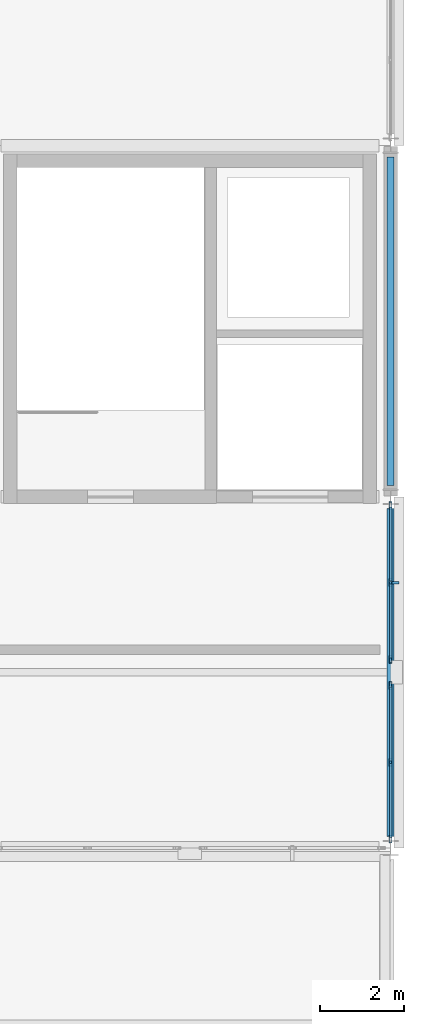
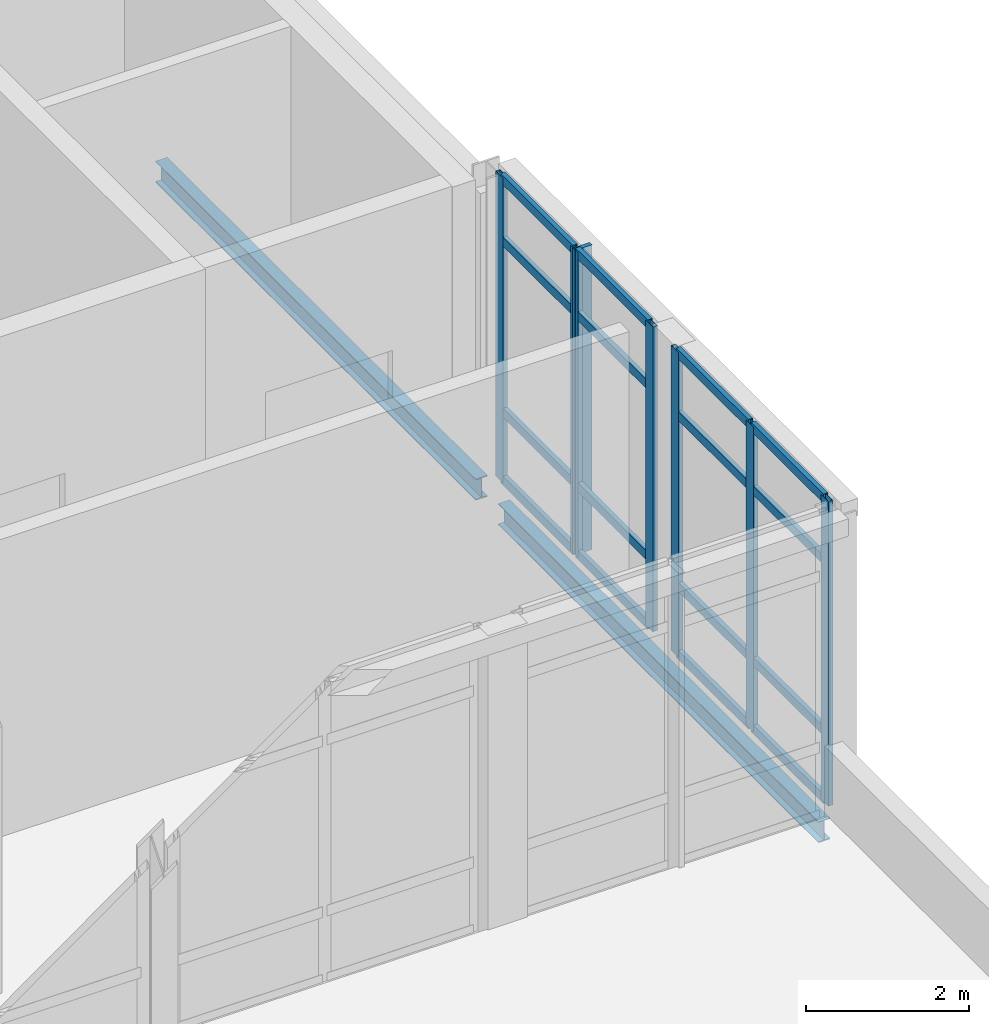
# One storey, part 24 of 52: 23 members, 2 beams, 2 elements without a shape of their own.
"""IFC4 building model written with IfcOpenShell, lengths in metres."""

from ifc_helpers import new_model, si_unit, direction, frame, origin, origin_2d, place, context, subcontext, project, spatial, rectangle, hollow_rectangle, i_section, extrude, material, layer, layer_set, material_profile, profile_set, type_object, element, aggregate, save


model = new_model("IFC4")

# Units and contexts
model_context = context("Model", 3, precision=1e-05, world=origin(), true_north=direction((0.0, 1.0)))
body_context = subcontext(model_context, "Body", "Model", "MODEL_VIEW")
ifc_project = project(units=[si_unit("LENGTHUNIT", "METRE"), si_unit("AREAUNIT", "SQUARE_METRE"), si_unit("VOLUMEUNIT", "CUBIC_METRE"), si_unit("PLANEANGLEUNIT", "RADIAN"), si_unit("MASSUNIT", "GRAM", prefix="KILO")], contexts=[model_context])

# Site, building, storey
site_placement = place(None, origin())
site = spatial("IfcSite", under=ifc_project, at=site_placement, CompositionType="ELEMENT")
building_placement = place(site_placement, origin())
building = spatial("IfcBuilding", under=site, at=building_placement, Name="Lornevale Opera House", CompositionType="ELEMENT")
storey_placement = place(building_placement, frame((0.0, 0.0, 15.0)))
storey = spatial("IfcBuildingStorey", under=building, at=storey_placement, Name="L04", CompositionType="ELEMENT", Elevation=15.0)

# Curtain wall, members
ifc_material_1 = material(Name="Anodized Oxide-Green Aluminium Framing", Category="aluminium")
ifc_layer = layer(ifc_material_1, 0.179931640625)
ifc_layer_set = layer_set([ifc_layer], Name="Anodized Oxide-Green Aluminium Framing")
curtain_wall_type = type_object("IfcCurtainWallType", Name="Promenade Gallery Curtain Wall M1800", PredefinedType="NOTDEFINED", material=ifc_layer_set)
curtain_wall_1_placement = place(storey_placement, origin())
curtain_wall_1 = element("IfcCurtainWall", 1, at=curtain_wall_1_placement, inside=storey, type_object=curtain_wall_type, Name="Promenade Gallery Curtain Wall M1800 CW-163", PredefinedType="NOTDEFINED")
ifc_material_profile_1 = material_profile(ifc_material_1, hollow_rectangle(XDim=0.06494140625, YDim=0.179931640625, WallThickness=0.0048828125, at=origin_2d()), Name="ALU65x180x5")
ifc_profile_set_1 = profile_set([ifc_material_profile_1], Name="Anodized Oxide-Green Aluminium Framing")
member_type_1 = type_object("IfcMemberType", Name="Curtain Wall Mullion 65x180", PredefinedType="MULLION", material=ifc_profile_set_1)
member_1_placement = place(storey_placement, frame((144.0, 33.387451171875, 0.0), z_axis=(0.0, 0.0, 1.0), x_axis=(1.0, 0.0, 0.0)))
member_1 = element("IfcMember", 2, at=member_1_placement, type_object=member_type_1, Name="Curtain Wall Mullion 65x180 CW3323", PredefinedType="MULLION", context=body_context, shape_type="SweptSolid", body=[
    extrude(hollow_rectangle(XDim=0.06494140625, YDim=0.179931640625, WallThickness=0.0048828125, at=origin_2d()), origin(), (0.0, 0.0, 1.0), 4.56005859375),
])
member_2_placement = place(storey_placement, frame((144.0, 31.550048828125, 0.0), z_axis=(0.0, 0.0, 1.0), x_axis=(1.0, 0.0, 0.0)))
member_2 = element("IfcMember", 3, at=member_2_placement, type_object=member_type_1, Name="Curtain Wall Mullion 65x180 CW3324", PredefinedType="MULLION", context=body_context, shape_type="SweptSolid", body=[
    extrude(hollow_rectangle(XDim=0.06494140625, YDim=0.179931640625, WallThickness=0.0048828125, at=origin_2d()), origin(), (0.0, 0.0, 1.0), 4.56005859375),
])
member_3_placement = place(storey_placement, frame((144.0, 29.71240234375, 0.0), z_axis=(0.0, 0.0, 1.0), x_axis=(1.0, 0.0, 0.0)))
member_3 = element("IfcMember", 4, at=member_3_placement, type_object=member_type_1, Name="Curtain Wall Mullion 65x180 CW3325", PredefinedType="MULLION", context=body_context, shape_type="SweptSolid", body=[
    extrude(hollow_rectangle(XDim=0.06494140625, YDim=0.179931640625, WallThickness=0.0048828125, at=origin_2d()), origin(), (0.0, 0.0, 1.0), 4.56005859375),
])

curtain_wall_2_placement = place(storey_placement, origin())
curtain_wall_2 = element("IfcCurtainWall", 5, at=curtain_wall_2_placement, inside=storey, type_object=curtain_wall_type, Name="Promenade Gallery Curtain Wall M1800 CW-164", PredefinedType="NOTDEFINED")
member_4_placement = place(storey_placement, frame((144.0, 29.08740234375, 0.0), z_axis=(0.0, 0.0, 1.0), x_axis=(1.0, 0.0, 0.0)))
member_4 = element("IfcMember", 6, at=member_4_placement, type_object=member_type_1, Name="Curtain Wall Mullion 65x180 CW3340", PredefinedType="MULLION", context=body_context, shape_type="SweptSolid", body=[
    extrude(hollow_rectangle(XDim=0.06494140625, YDim=0.179931640625, WallThickness=0.0048828125, at=origin_2d()), origin(), (0.0, 0.0, 1.0), 4.56005859375),
])
member_5_placement = place(storey_placement, frame((144.0, 27.25, 0.0), z_axis=(0.0, 0.0, 1.0), x_axis=(1.0, 0.0, 0.0)))
member_5 = element("IfcMember", 7, at=member_5_placement, type_object=member_type_1, Name="Curtain Wall Mullion 65x180 CW3341", PredefinedType="MULLION", context=body_context, shape_type="SweptSolid", body=[
    extrude(hollow_rectangle(XDim=0.06494140625, YDim=0.179931640625, WallThickness=0.0048828125, at=origin_2d()), origin(), (0.0, 0.0, 1.0), 4.56005859375),
])
member_6_placement = place(storey_placement, frame((144.0, 25.41259765625, 0.0), z_axis=(0.0, 0.0, 1.0), x_axis=(1.0, 0.0, 0.0)))
member_6 = element("IfcMember", 8, at=member_6_placement, type_object=member_type_1, Name="Curtain Wall Mullion 65x180 CW3342", PredefinedType="MULLION", context=body_context, shape_type="SweptSolid", body=[
    extrude(hollow_rectangle(XDim=0.06494140625, YDim=0.179931640625, WallThickness=0.0048828125, at=origin_2d()), origin(), (0.0, 0.0, 1.0), 4.56005859375),
])

# Member
ifc_material_profile_2 = material_profile(ifc_material_1, hollow_rectangle(XDim=0.06494140625, YDim=0.135009765625, WallThickness=0.00390625, at=origin_2d()), Name="ALU65x135x4")
ifc_profile_set_2 = profile_set([ifc_material_profile_2], Name="Anodized Oxide-Green Aluminium Framing")
member_type_2 = type_object("IfcMemberType", Name="Curtain Wall Transom 65x135", PredefinedType="USERDEFINED", material=ifc_profile_set_2)
member_7_placement = place(storey_placement, frame((144.0, 33.35498046875, 0.032470703125), z_axis=(0.0, -1.0, 0.0), x_axis=(1.0, 0.0, 0.0)))
member_7 = element("IfcMember", 9, at=member_7_placement, type_object=member_type_2, Name="Curtain Wall Transom 65x135 CW3326", ObjectType="TRANSOM", PredefinedType="USERDEFINED", context=body_context, shape_type="SweptSolid", body=[
    extrude(hollow_rectangle(XDim=0.06494140625, YDim=0.135009765625, WallThickness=0.00390625, at=origin_2d()), origin(), (0.0, 0.0, 1.0), 1.7724609375),
])

member_8_placement = place(storey_placement, frame((144.0, 33.35498046875, 1.050048828125), z_axis=(0.0, -1.0, 0.0), x_axis=(1.0, 0.0, 0.0)))
member_8 = element("IfcMember", 10, at=member_8_placement, type_object=member_type_2, Name="Curtain Wall Transom 65x135 CW3327", ObjectType="TRANSOM", PredefinedType="USERDEFINED", context=body_context, shape_type="SweptSolid", body=[
    extrude(hollow_rectangle(XDim=0.06494140625, YDim=0.135009765625, WallThickness=0.00390625, at=origin_2d()), origin(), (0.0, 0.0, 1.0), 1.7724609375),
])

member_9_placement = place(storey_placement, frame((144.0, 33.35498046875, 3.610107421875), z_axis=(0.0, -1.0, 0.0), x_axis=(1.0, 0.0, 0.0)))
member_9 = element("IfcMember", 11, at=member_9_placement, type_object=member_type_2, Name="Curtain Wall Transom 65x135 CW3328", ObjectType="TRANSOM", PredefinedType="USERDEFINED", context=body_context, shape_type="SweptSolid", body=[
    extrude(hollow_rectangle(XDim=0.06494140625, YDim=0.135009765625, WallThickness=0.00390625, at=origin_2d()), origin(), (0.0, 0.0, 1.0), 1.7724609375),
])

member_10_placement = place(storey_placement, frame((144.0, 33.35498046875, 4.527587890625), z_axis=(0.0, -1.0, 0.0), x_axis=(1.0, 0.0, 0.0)))
member_10 = element("IfcMember", 12, at=member_10_placement, type_object=member_type_2, Name="Curtain Wall Transom 65x135 CW3329", ObjectType="TRANSOM", PredefinedType="USERDEFINED", context=body_context, shape_type="SweptSolid", body=[
    extrude(hollow_rectangle(XDim=0.06494140625, YDim=0.135009765625, WallThickness=0.00390625, at=origin_2d()), origin(), (0.0, 0.0, 1.0), 1.7724609375),
])

member_11_placement = place(storey_placement, frame((144.0, 31.517578125, 0.032470703125), z_axis=(0.0, -1.0, 0.0), x_axis=(1.0, 0.0, 0.0)))
member_11 = element("IfcMember", 13, at=member_11_placement, type_object=member_type_2, Name="Curtain Wall Transom 65x135 CW3333", ObjectType="TRANSOM", PredefinedType="USERDEFINED", context=body_context, shape_type="SweptSolid", body=[
    extrude(hollow_rectangle(XDim=0.06494140625, YDim=0.135009765625, WallThickness=0.00390625, at=origin_2d()), origin(), (0.0, 0.0, 1.0), 1.7724609375),
])

member_12_placement = place(storey_placement, frame((144.0, 31.517578125, 1.050048828125), z_axis=(0.0, -1.0, 0.0), x_axis=(1.0, 0.0, 0.0)))
member_12 = element("IfcMember", 14, at=member_12_placement, type_object=member_type_2, Name="Curtain Wall Transom 65x135 CW3334", ObjectType="TRANSOM", PredefinedType="USERDEFINED", context=body_context, shape_type="SweptSolid", body=[
    extrude(hollow_rectangle(XDim=0.06494140625, YDim=0.135009765625, WallThickness=0.00390625, at=origin_2d()), origin(), (0.0, 0.0, 1.0), 1.7724609375),
])

member_13_placement = place(storey_placement, frame((144.0, 31.517578125, 3.610107421875), z_axis=(0.0, -1.0, 0.0), x_axis=(1.0, 0.0, 0.0)))
member_13 = element("IfcMember", 15, at=member_13_placement, type_object=member_type_2, Name="Curtain Wall Transom 65x135 CW3335", ObjectType="TRANSOM", PredefinedType="USERDEFINED", context=body_context, shape_type="SweptSolid", body=[
    extrude(hollow_rectangle(XDim=0.06494140625, YDim=0.135009765625, WallThickness=0.00390625, at=origin_2d()), origin(), (0.0, 0.0, 1.0), 1.7724609375),
])

member_14_placement = place(storey_placement, frame((144.0, 31.517578125, 4.527587890625), z_axis=(0.0, -1.0, 0.0), x_axis=(1.0, 0.0, 0.0)))
member_14 = element("IfcMember", 16, at=member_14_placement, type_object=member_type_2, Name="Curtain Wall Transom 65x135 CW3336", ObjectType="TRANSOM", PredefinedType="USERDEFINED", context=body_context, shape_type="SweptSolid", body=[
    extrude(hollow_rectangle(XDim=0.06494140625, YDim=0.135009765625, WallThickness=0.00390625, at=origin_2d()), origin(), (0.0, 0.0, 1.0), 1.7724609375),
])

member_15_placement = place(storey_placement, frame((144.0, 29.054931640625, 0.032470703125), z_axis=(0.0, -1.0, 0.0), x_axis=(1.0, 0.0, 0.0)))
member_15 = element("IfcMember", 17, at=member_15_placement, type_object=member_type_2, Name="Curtain Wall Transom 65x135 CW3343", ObjectType="TRANSOM", PredefinedType="USERDEFINED", context=body_context, shape_type="SweptSolid", body=[
    extrude(hollow_rectangle(XDim=0.06494140625, YDim=0.135009765625, WallThickness=0.00390625, at=origin_2d()), origin(), (0.0, 0.0, 1.0), 1.7724609375),
])

member_16_placement = place(storey_placement, frame((144.0, 29.054931640625, 1.050048828125), z_axis=(0.0, -1.0, 0.0), x_axis=(1.0, 0.0, 0.0)))
member_16 = element("IfcMember", 18, at=member_16_placement, type_object=member_type_2, Name="Curtain Wall Transom 65x135 CW3344", ObjectType="TRANSOM", PredefinedType="USERDEFINED", context=body_context, shape_type="SweptSolid", body=[
    extrude(hollow_rectangle(XDim=0.06494140625, YDim=0.135009765625, WallThickness=0.00390625, at=origin_2d()), origin(), (0.0, 0.0, 1.0), 1.7724609375),
])

member_17_placement = place(storey_placement, frame((144.0, 29.054931640625, 3.610107421875), z_axis=(0.0, -1.0, 0.0), x_axis=(1.0, 0.0, 0.0)))
member_17 = element("IfcMember", 19, at=member_17_placement, type_object=member_type_2, Name="Curtain Wall Transom 65x135 CW3345", ObjectType="TRANSOM", PredefinedType="USERDEFINED", context=body_context, shape_type="SweptSolid", body=[
    extrude(hollow_rectangle(XDim=0.06494140625, YDim=0.135009765625, WallThickness=0.00390625, at=origin_2d()), origin(), (0.0, 0.0, 1.0), 1.7724609375),
])

member_18_placement = place(storey_placement, frame((144.0, 29.054931640625, 4.527587890625), z_axis=(0.0, -1.0, 0.0), x_axis=(1.0, 0.0, 0.0)))
member_18 = element("IfcMember", 20, at=member_18_placement, type_object=member_type_2, Name="Curtain Wall Transom 65x135 CW3346", ObjectType="TRANSOM", PredefinedType="USERDEFINED", context=body_context, shape_type="SweptSolid", body=[
    extrude(hollow_rectangle(XDim=0.06494140625, YDim=0.135009765625, WallThickness=0.00390625, at=origin_2d()), origin(), (0.0, 0.0, 1.0), 1.7724609375),
])

member_19_placement = place(storey_placement, frame((144.0, 27.217529296875, 0.032470703125), z_axis=(0.0, -1.0, 0.0), x_axis=(1.0, 0.0, 0.0)))
member_19 = element("IfcMember", 21, at=member_19_placement, type_object=member_type_2, Name="Curtain Wall Transom 65x135 CW3350", ObjectType="TRANSOM", PredefinedType="USERDEFINED", context=body_context, shape_type="SweptSolid", body=[
    extrude(hollow_rectangle(XDim=0.06494140625, YDim=0.135009765625, WallThickness=0.00390625, at=origin_2d()), origin(), (0.0, 0.0, 1.0), 1.7724609375),
])

member_20_placement = place(storey_placement, frame((144.0, 27.217529296875, 1.050048828125), z_axis=(0.0, -1.0, 0.0), x_axis=(1.0, 0.0, 0.0)))
member_20 = element("IfcMember", 22, at=member_20_placement, type_object=member_type_2, Name="Curtain Wall Transom 65x135 CW3351", ObjectType="TRANSOM", PredefinedType="USERDEFINED", context=body_context, shape_type="SweptSolid", body=[
    extrude(hollow_rectangle(XDim=0.06494140625, YDim=0.135009765625, WallThickness=0.00390625, at=origin_2d()), origin(), (0.0, 0.0, 1.0), 1.7724609375),
])

member_21_placement = place(storey_placement, frame((144.0, 27.217529296875, 3.610107421875), z_axis=(0.0, -1.0, 0.0), x_axis=(1.0, 0.0, 0.0)))
member_21 = element("IfcMember", 23, at=member_21_placement, type_object=member_type_2, Name="Curtain Wall Transom 65x135 CW3352", ObjectType="TRANSOM", PredefinedType="USERDEFINED", context=body_context, shape_type="SweptSolid", body=[
    extrude(hollow_rectangle(XDim=0.06494140625, YDim=0.135009765625, WallThickness=0.00390625, at=origin_2d()), origin(), (0.0, 0.0, 1.0), 1.7724609375),
])

member_22_placement = place(storey_placement, frame((144.0, 27.217529296875, 4.527587890625), z_axis=(0.0, -1.0, 0.0), x_axis=(1.0, 0.0, 0.0)))
member_22 = element("IfcMember", 24, at=member_22_placement, type_object=member_type_2, Name="Curtain Wall Transom 65x135 CW3353", ObjectType="TRANSOM", PredefinedType="USERDEFINED", context=body_context, shape_type="SweptSolid", body=[
    extrude(hollow_rectangle(XDim=0.06494140625, YDim=0.135009765625, WallThickness=0.00390625, at=origin_2d()), origin(), (0.0, 0.0, 1.0), 1.7724609375),
])

aggregate(curtain_wall_2, [member_4, member_5, member_6, member_15, member_16, member_17, member_18, member_19, member_20, member_21, member_22])

ifc_material_2 = material(Name="Architectural Bronze Solar Louvre Alloy", Category="metal")
ifc_material_profile_3 = material_profile(ifc_material_2, rectangle(XDim=0.06005859375, YDim=0.239990234375, at=origin_2d()), Name="FIN60x240")
ifc_profile_set_3 = profile_set([ifc_material_profile_3], Name="Architectural Bronze Solar Louvre Alloy")
member_type_3 = type_object("IfcMemberType", Name="Solar Shading Fin 60x240", PredefinedType="USERDEFINED", material=ifc_profile_set_3)
member_23_placement = place(storey_placement, frame((144.083984375, 31.550048828125, 0.0), z_axis=(0.0, 0.0, 1.0), x_axis=(0.0, -1.0, 0.0)))
member_23 = element("IfcMember", 25, at=member_23_placement, type_object=member_type_3, Name="Solar Shading Fin 60x240 FIN0067", ObjectType="SOLAR FIN", PredefinedType="USERDEFINED", context=body_context, shape_type="SweptSolid", body=[
    extrude(rectangle(XDim=0.06005859375, YDim=0.239990234375, at=origin_2d()), origin(), (0.0, 0.0, 1.0), 4.56005859375),
])

aggregate(curtain_wall_1, [member_1, member_2, member_3, member_7, member_8, member_9, member_10, member_11, member_12, member_13, member_14, member_23])

# Beams
ifc_material_3 = material(Name="Structural Steel CSA G40.21 Grade 350W (350 MPa)", Category="steel")
ifc_material_profile_4 = material_profile(ifc_material_3, i_section(OverallWidth=0.1669921875, OverallDepth=0.31689453125, WebThickness=0.007568359375, FlangeThickness=0.01318359375, at=origin_2d()), Name="W310x52")
ifc_profile_set_4 = profile_set([ifc_material_profile_4], Name="Structural Steel CSA G40.21 Grade 350W (350 MPa)")
beam_type = type_object("IfcBeamType", Name="Steel Spandrel Beam W310x52", PredefinedType="SPANDREL", material=ifc_profile_set_4)
beam_1_placement = place(storey_placement, frame((144.0, 25.47509765625, -0.46337890625), z_axis=(0.0, 1.0, 0.0), x_axis=(-1.0, 0.0, 0.0)))
element("IfcBeam", 26, at=beam_1_placement, inside=storey, type_object=beam_type, Name="Steel Spandrel Beam W310x52 2647", PredefinedType="SPANDREL", context=body_context, shape_type="SweptSolid", body=[
    extrude(i_section(OverallWidth=0.1669921875, OverallDepth=0.31689453125, WebThickness=0.007568359375, FlangeThickness=0.01318359375, at=origin_2d()), origin(), (0.0, 0.0, 1.0), 7.849853515625),
])
beam_2_placement = place(storey_placement, frame((144.0, 33.875, -0.43359375), z_axis=(0.0, 1.0, 0.0), x_axis=(-1.0, 0.0, 0.0)))
element("IfcBeam", 27, at=beam_2_placement, inside=storey, type_object=beam_type, Name="Steel Spandrel Beam W310x52 2648", PredefinedType="SPANDREL", context=body_context, shape_type="SweptSolid", body=[
    extrude(i_section(OverallWidth=0.1669921875, OverallDepth=0.31689453125, WebThickness=0.007568359375, FlangeThickness=0.01318359375, at=origin_2d()), origin(), (0.0, 0.0, 1.0), 7.85009765625),
])

save(model, "model.ifc")
